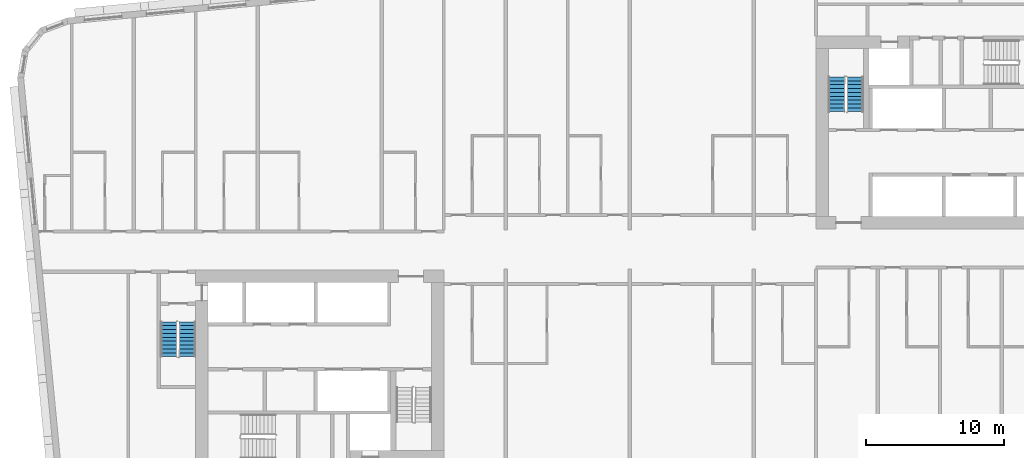
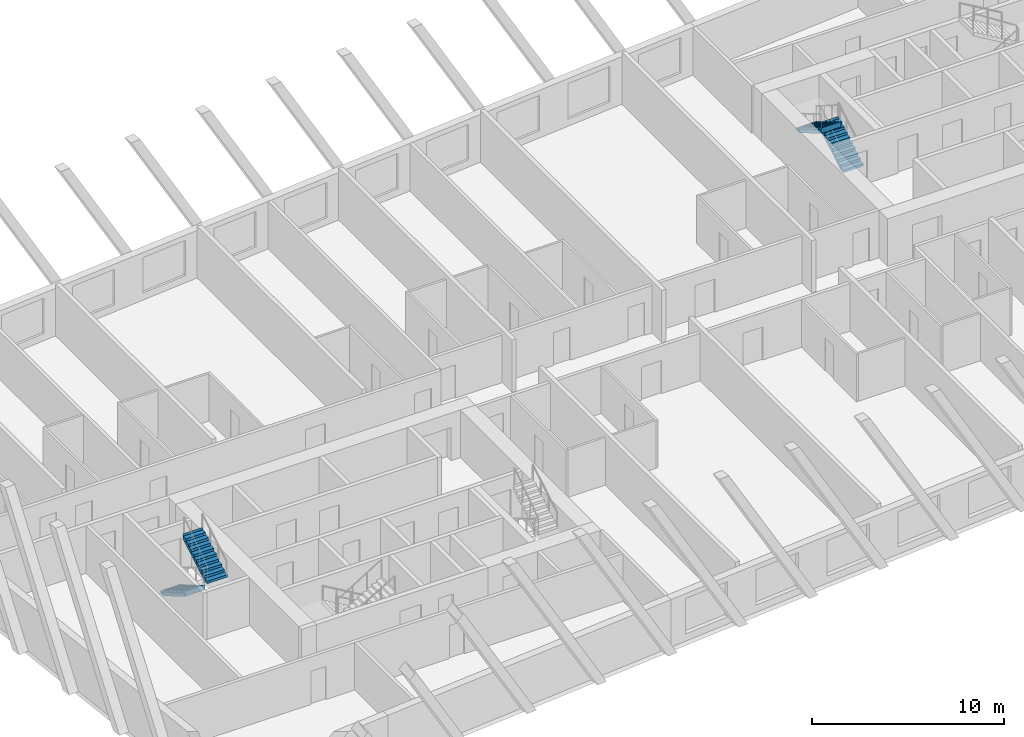
# One storey, part 10 of 13: 4 stair flights, 2 elements without a shape of their own.
"""IFC4 building model written with IfcOpenShell, lengths in metres."""

from ifc_helpers import new_model, si_unit, direction, frame, origin, place, context, subcontext, project, spatial, faceted_brep, material, type_object, element, aggregate, save


model = new_model("IFC4")

# Units and contexts
model_context = context("Model", 3, precision=1e-05, world=origin(), true_north=direction((0.0, 1.0)))
body_context = subcontext(model_context, "Body", "Model", "MODEL_VIEW")
ifc_project = project(units=[si_unit("LENGTHUNIT", "METRE"), si_unit("AREAUNIT", "SQUARE_METRE"), si_unit("VOLUMEUNIT", "CUBIC_METRE"), si_unit("PLANEANGLEUNIT", "RADIAN"), si_unit("MASSUNIT", "GRAM", prefix="KILO")], contexts=[model_context])

# Site, building, storey
site_placement = place(None, origin())
site = spatial("IfcSite", under=ifc_project, at=site_placement, CompositionType="ELEMENT")
building_placement = place(site_placement, origin())
building = spatial("IfcBuilding", under=site, at=building_placement, Name="Kajstack Hotel Tower", CompositionType="ELEMENT")
storey_placement = place(building_placement, frame((0.0, 0.0, 166.89990234375)))
storey = spatial("IfcBuildingStorey", under=building, at=storey_placement, Name="L38", CompositionType="ELEMENT", Elevation=166.89990234375)

# Stair, stair flights
ifc_material = material(Name="Concrete C40/50", Category="concrete")
stair_type = type_object("IfcStairType", Name="Exit stair 1200", PredefinedType="HALF_TURN_STAIR", material=ifc_material)
stair_1_placement = place(storey_placement, origin())
stair_1 = element("IfcStair", 1, at=stair_1_placement, inside=storey, type_object=stair_type, Name="L38 stair W1", PredefinedType="HALF_TURN_STAIR")
stair_flight_type = type_object("IfcStairFlightType", Name="Exit stair flight 1200", PredefinedType="STRAIGHT", material=ifc_material)
stair_flight_1_placement = place(storey_placement, frame((-33.449951171875, -5.25, 0.0), z_axis=(0.0, 0.0, 1.0), x_axis=(0.0, -1.0, 0.0)))
stair_flight_1 = element("IfcStairFlight", 2, at=stair_flight_1_placement, type_object=stair_flight_type, Name="W1 flight 1", NumberOfRisers=10, NumberOfTreads=9, PredefinedType="STRAIGHT", RiserHeight=0.165, TreadLength=0.28, context=body_context, shape_type="Brep", body=[
    faceted_brep([(0.295654296875, -0.60009765625, 0.0), (2.5205078125, -0.60009765625, 1.31103515625), (2.5205078125, -0.60009765625, 1.64990234375), (2.52001953125, -0.60009765625, 1.64990234375), (2.52001953125, -0.60009765625, 1.485107421875), (2.239990234375, -0.60009765625, 1.485107421875), (2.239990234375, -0.60009765625, 1.320068359375), (1.9599609375, -0.60009765625, 1.320068359375), (1.9599609375, -0.60009765625, 1.155029296875), (1.679931640625, -0.60009765625, 1.155029296875), (1.679931640625, -0.60009765625, 0.989990234375), (1.39990234375, -0.60009765625, 0.989990234375), (1.39990234375, -0.60009765625, 0.824951171875), (1.1201171875, -0.60009765625, 0.824951171875), (1.1201171875, -0.60009765625, 0.659912109375), (0.840087890625, -0.60009765625, 0.659912109375), (0.840087890625, -0.60009765625, 0.4951171875), (0.56005859375, -0.60009765625, 0.4951171875), (0.56005859375, -0.60009765625, 0.330078125), (0.280029296875, -0.60009765625, 0.330078125), (0.280029296875, -0.60009765625, 0.1650390625), (-0.00048828125, -0.60009765625, 0.1650390625), (-0.00048828125, -0.60009765625, 0.0), (-0.00048828125, 0.60009765625, 0.0), (-0.00048828125, 0.60009765625, 0.1650390625), (0.280029296875, 0.60009765625, 0.1650390625), (0.280029296875, 0.60009765625, 0.330078125), (0.56005859375, 0.60009765625, 0.330078125), (0.56005859375, 0.60009765625, 0.4951171875), (0.840087890625, 0.60009765625, 0.4951171875), (0.840087890625, 0.60009765625, 0.659912109375), (1.1201171875, 0.60009765625, 0.659912109375), (1.1201171875, 0.60009765625, 0.824951171875), (1.39990234375, 0.60009765625, 0.824951171875), (1.39990234375, 0.60009765625, 0.989990234375), (1.679931640625, 0.60009765625, 0.989990234375), (1.679931640625, 0.60009765625, 1.155029296875), (1.9599609375, 0.60009765625, 1.155029296875), (1.9599609375, 0.60009765625, 1.320068359375), (2.239990234375, 0.60009765625, 1.320068359375), (2.239990234375, 0.60009765625, 1.485107421875), (2.52001953125, 0.60009765625, 1.485107421875), (2.52001953125, 0.60009765625, 1.64990234375), (2.5205078125, 0.60009765625, 1.64990234375), (2.5205078125, 0.60009765625, 1.31103515625), (0.295654296875, 0.60009765625, 0.0), (-0.00048828125, -0.300048828125, 0.1650390625), (-0.00048828125, 0.0, 0.1650390625), (-0.00048828125, 0.300048828125, 0.1650390625), (-0.00048828125, 0.300048828125, 0.0), (-0.00048828125, 0.0, 0.0), (-0.00048828125, -0.300048828125, 0.0), (0.280029296875, -0.300048828125, 0.1650390625), (0.280029296875, 0.0, 0.1650390625), (0.280029296875, 0.300048828125, 0.1650390625), (0.280029296875, -0.300048828125, 0.330078125), (0.280029296875, 0.0, 0.330078125), (0.280029296875, 0.300048828125, 0.330078125), (0.56005859375, -0.300048828125, 0.330078125), (0.56005859375, 0.0, 0.330078125), (0.56005859375, 0.300048828125, 0.330078125), (0.56005859375, -0.300048828125, 0.4951171875), (0.56005859375, 0.0, 0.4951171875), (0.56005859375, 0.300048828125, 0.4951171875), (0.840087890625, -0.300048828125, 0.4951171875), (0.840087890625, 0.0, 0.4951171875), (0.840087890625, 0.300048828125, 0.4951171875), (0.840087890625, -0.300048828125, 0.659912109375), (0.840087890625, 0.0, 0.659912109375), (0.840087890625, 0.300048828125, 0.659912109375), (1.1201171875, -0.300048828125, 0.659912109375), (1.1201171875, 0.0, 0.659912109375), (1.1201171875, 0.300048828125, 0.659912109375), (1.1201171875, -0.300048828125, 0.824951171875), (1.1201171875, 0.0, 0.824951171875), (1.1201171875, 0.300048828125, 0.824951171875), (1.39990234375, -0.300048828125, 0.824951171875), (1.39990234375, 0.0, 0.824951171875), (1.39990234375, 0.300048828125, 0.824951171875), (1.39990234375, -0.300048828125, 0.989990234375), (1.39990234375, 0.0, 0.989990234375), (1.39990234375, 0.300048828125, 0.989990234375), (1.679931640625, -0.300048828125, 0.989990234375), (1.679931640625, 0.0, 0.989990234375), (1.679931640625, 0.300048828125, 0.989990234375), (1.679931640625, -0.300048828125, 1.155029296875), (1.679931640625, 0.0, 1.155029296875), (1.679931640625, 0.300048828125, 1.155029296875), (1.9599609375, -0.300048828125, 1.155029296875), (1.9599609375, 0.0, 1.155029296875), (1.9599609375, 0.300048828125, 1.155029296875), (1.9599609375, -0.300048828125, 1.320068359375), (1.9599609375, 0.0, 1.320068359375), (1.9599609375, 0.300048828125, 1.320068359375), (2.239990234375, -0.300048828125, 1.320068359375), (2.239990234375, 0.0, 1.320068359375), (2.239990234375, 0.300048828125, 1.320068359375), (2.239990234375, -0.300048828125, 1.485107421875), (2.239990234375, 0.0, 1.485107421875), (2.239990234375, 0.300048828125, 1.485107421875), (2.52001953125, -0.300048828125, 1.485107421875), (2.52001953125, 0.0, 1.485107421875), (2.52001953125, 0.300048828125, 1.485107421875), (2.52001953125, -0.300048828125, 1.64990234375), (2.52001953125, 0.0, 1.64990234375), (2.52001953125, 0.300048828125, 1.64990234375), (2.5205078125, -0.300048828125, 1.64990234375), (2.5205078125, 0.0, 1.64990234375), (2.5205078125, 0.300048828125, 1.64990234375), (2.5205078125, -0.300048828125, 1.31103515625), (2.5205078125, 0.0, 1.31103515625), (2.5205078125, 0.300048828125, 1.31103515625), (0.295654296875, -0.300048828125, 0.0), (0.295654296875, 0.0, 0.0), (0.295654296875, 0.300048828125, 0.0)], [[[0, 1, 2, 3, 4, 5, 6, 7, 8, 9, 10, 11, 12, 13, 14, 15, 16, 17, 18, 19, 20, 21, 22]], [[23, 24, 25, 26, 27, 28, 29, 30, 31, 32, 33, 34, 35, 36, 37, 38, 39, 40, 41, 42, 43, 44, 45]], [[21, 46, 47, 48, 24, 23, 49, 50, 51, 22]], [[20, 52, 53, 54, 25, 24, 48, 47, 46, 21]], [[19, 55, 56, 57, 26, 25, 54, 53, 52, 20]], [[18, 58, 59, 60, 27, 26, 57, 56, 55, 19]], [[17, 61, 62, 63, 28, 27, 60, 59, 58, 18]], [[16, 64, 65, 66, 29, 28, 63, 62, 61, 17]], [[15, 67, 68, 69, 30, 29, 66, 65, 64, 16]], [[14, 70, 71, 72, 31, 30, 69, 68, 67, 15]], [[13, 73, 74, 75, 32, 31, 72, 71, 70, 14]], [[12, 76, 77, 78, 33, 32, 75, 74, 73, 13]], [[11, 79, 80, 81, 34, 33, 78, 77, 76, 12]], [[10, 82, 83, 84, 35, 34, 81, 80, 79, 11]], [[9, 85, 86, 87, 36, 35, 84, 83, 82, 10]], [[8, 88, 89, 90, 37, 36, 87, 86, 85, 9]], [[7, 91, 92, 93, 38, 37, 90, 89, 88, 8]], [[6, 94, 95, 96, 39, 38, 93, 92, 91, 7]], [[5, 97, 98, 99, 40, 39, 96, 95, 94, 6]], [[4, 100, 101, 102, 41, 40, 99, 98, 97, 5]], [[3, 103, 104, 105, 42, 41, 102, 101, 100, 4]], [[2, 106, 107, 108, 43, 42, 105, 104, 103, 3]], [[1, 109, 110, 111, 44, 43, 108, 107, 106, 2]], [[0, 112, 113, 114, 45, 44, 111, 110, 109, 1]], [[22, 51, 50, 49, 23, 45, 114, 113, 112, 0]]]),
])
stair_flight_2_placement = place(storey_placement, frame((-32.10009765625, -7.77001953125, 1.650146484375), z_axis=(0.0, 0.0, 1.0), x_axis=(0.0, 1.0, 0.0)))
stair_flight_2 = element("IfcStairFlight", 3, at=stair_flight_2_placement, type_object=stair_flight_type, Name="W1 flight 2", NumberOfRisers=10, NumberOfTreads=9, PredefinedType="STRAIGHT", RiserHeight=0.165, TreadLength=0.28, context=body_context, shape_type="Brep", body=[
    faceted_brep([(0.295654296875, -0.60009765625, 0.0), (2.5205078125, -0.60009765625, 1.31103515625), (2.5205078125, -0.60009765625, 1.64990234375), (2.52001953125, -0.60009765625, 1.64990234375), (2.52001953125, -0.60009765625, 1.485107421875), (2.239990234375, -0.60009765625, 1.485107421875), (2.239990234375, -0.60009765625, 1.320068359375), (1.9599609375, -0.60009765625, 1.320068359375), (1.9599609375, -0.60009765625, 1.155029296875), (1.679931640625, -0.60009765625, 1.155029296875), (1.679931640625, -0.60009765625, 0.989990234375), (1.39990234375, -0.60009765625, 0.989990234375), (1.39990234375, -0.60009765625, 0.824951171875), (1.1201171875, -0.60009765625, 0.824951171875), (1.1201171875, -0.60009765625, 0.659912109375), (0.840087890625, -0.60009765625, 0.659912109375), (0.840087890625, -0.60009765625, 0.4951171875), (0.56005859375, -0.60009765625, 0.4951171875), (0.56005859375, -0.60009765625, 0.330078125), (0.280029296875, -0.60009765625, 0.330078125), (0.280029296875, -0.60009765625, 0.1650390625), (-0.00048828125, -0.60009765625, 0.1650390625), (-0.00048828125, -0.60009765625, 0.0), (-0.00048828125, 0.60009765625, 0.0), (-0.00048828125, 0.60009765625, 0.1650390625), (0.280029296875, 0.60009765625, 0.1650390625), (0.280029296875, 0.60009765625, 0.330078125), (0.56005859375, 0.60009765625, 0.330078125), (0.56005859375, 0.60009765625, 0.4951171875), (0.840087890625, 0.60009765625, 0.4951171875), (0.840087890625, 0.60009765625, 0.659912109375), (1.1201171875, 0.60009765625, 0.659912109375), (1.1201171875, 0.60009765625, 0.824951171875), (1.39990234375, 0.60009765625, 0.824951171875), (1.39990234375, 0.60009765625, 0.989990234375), (1.679931640625, 0.60009765625, 0.989990234375), (1.679931640625, 0.60009765625, 1.155029296875), (1.9599609375, 0.60009765625, 1.155029296875), (1.9599609375, 0.60009765625, 1.320068359375), (2.239990234375, 0.60009765625, 1.320068359375), (2.239990234375, 0.60009765625, 1.485107421875), (2.52001953125, 0.60009765625, 1.485107421875), (2.52001953125, 0.60009765625, 1.64990234375), (2.5205078125, 0.60009765625, 1.64990234375), (2.5205078125, 0.60009765625, 1.31103515625), (0.295654296875, 0.60009765625, 0.0), (-0.00048828125, -0.300048828125, 0.1650390625), (-0.00048828125, 0.0, 0.1650390625), (-0.00048828125, 0.300048828125, 0.1650390625), (-0.00048828125, 0.300048828125, 0.0), (-0.00048828125, 0.0, 0.0), (-0.00048828125, -0.300048828125, 0.0), (0.280029296875, -0.300048828125, 0.1650390625), (0.280029296875, 0.0, 0.1650390625), (0.280029296875, 0.300048828125, 0.1650390625), (0.280029296875, -0.300048828125, 0.330078125), (0.280029296875, 0.0, 0.330078125), (0.280029296875, 0.300048828125, 0.330078125), (0.56005859375, -0.300048828125, 0.330078125), (0.56005859375, 0.0, 0.330078125), (0.56005859375, 0.300048828125, 0.330078125), (0.56005859375, -0.300048828125, 0.4951171875), (0.56005859375, 0.0, 0.4951171875), (0.56005859375, 0.300048828125, 0.4951171875), (0.840087890625, -0.300048828125, 0.4951171875), (0.840087890625, 0.0, 0.4951171875), (0.840087890625, 0.300048828125, 0.4951171875), (0.840087890625, -0.300048828125, 0.659912109375), (0.840087890625, 0.0, 0.659912109375), (0.840087890625, 0.300048828125, 0.659912109375), (1.1201171875, -0.300048828125, 0.659912109375), (1.1201171875, 0.0, 0.659912109375), (1.1201171875, 0.300048828125, 0.659912109375), (1.1201171875, -0.300048828125, 0.824951171875), (1.1201171875, 0.0, 0.824951171875), (1.1201171875, 0.300048828125, 0.824951171875), (1.39990234375, -0.300048828125, 0.824951171875), (1.39990234375, 0.0, 0.824951171875), (1.39990234375, 0.300048828125, 0.824951171875), (1.39990234375, -0.300048828125, 0.989990234375), (1.39990234375, 0.0, 0.989990234375), (1.39990234375, 0.300048828125, 0.989990234375), (1.679931640625, -0.300048828125, 0.989990234375), (1.679931640625, 0.0, 0.989990234375), (1.679931640625, 0.300048828125, 0.989990234375), (1.679931640625, -0.300048828125, 1.155029296875), (1.679931640625, 0.0, 1.155029296875), (1.679931640625, 0.300048828125, 1.155029296875), (1.9599609375, -0.300048828125, 1.155029296875), (1.9599609375, 0.0, 1.155029296875), (1.9599609375, 0.300048828125, 1.155029296875), (1.9599609375, -0.300048828125, 1.320068359375), (1.9599609375, 0.0, 1.320068359375), (1.9599609375, 0.300048828125, 1.320068359375), (2.239990234375, -0.300048828125, 1.320068359375), (2.239990234375, 0.0, 1.320068359375), (2.239990234375, 0.300048828125, 1.320068359375), (2.239990234375, -0.300048828125, 1.485107421875), (2.239990234375, 0.0, 1.485107421875), (2.239990234375, 0.300048828125, 1.485107421875), (2.52001953125, -0.300048828125, 1.485107421875), (2.52001953125, 0.0, 1.485107421875), (2.52001953125, 0.300048828125, 1.485107421875), (2.52001953125, -0.300048828125, 1.64990234375), (2.52001953125, 0.0, 1.64990234375), (2.52001953125, 0.300048828125, 1.64990234375), (2.5205078125, -0.300048828125, 1.64990234375), (2.5205078125, 0.0, 1.64990234375), (2.5205078125, 0.300048828125, 1.64990234375), (2.5205078125, -0.300048828125, 1.31103515625), (2.5205078125, 0.0, 1.31103515625), (2.5205078125, 0.300048828125, 1.31103515625), (0.295654296875, -0.300048828125, 0.0), (0.295654296875, 0.0, 0.0), (0.295654296875, 0.300048828125, 0.0)], [[[0, 1, 2, 3, 4, 5, 6, 7, 8, 9, 10, 11, 12, 13, 14, 15, 16, 17, 18, 19, 20, 21, 22]], [[23, 24, 25, 26, 27, 28, 29, 30, 31, 32, 33, 34, 35, 36, 37, 38, 39, 40, 41, 42, 43, 44, 45]], [[21, 46, 47, 48, 24, 23, 49, 50, 51, 22]], [[20, 52, 53, 54, 25, 24, 48, 47, 46, 21]], [[19, 55, 56, 57, 26, 25, 54, 53, 52, 20]], [[18, 58, 59, 60, 27, 26, 57, 56, 55, 19]], [[17, 61, 62, 63, 28, 27, 60, 59, 58, 18]], [[16, 64, 65, 66, 29, 28, 63, 62, 61, 17]], [[15, 67, 68, 69, 30, 29, 66, 65, 64, 16]], [[14, 70, 71, 72, 31, 30, 69, 68, 67, 15]], [[13, 73, 74, 75, 32, 31, 72, 71, 70, 14]], [[12, 76, 77, 78, 33, 32, 75, 74, 73, 13]], [[11, 79, 80, 81, 34, 33, 78, 77, 76, 12]], [[10, 82, 83, 84, 35, 34, 81, 80, 79, 11]], [[9, 85, 86, 87, 36, 35, 84, 83, 82, 10]], [[8, 88, 89, 90, 37, 36, 87, 86, 85, 9]], [[7, 91, 92, 93, 38, 37, 90, 89, 88, 8]], [[6, 94, 95, 96, 39, 38, 93, 92, 91, 7]], [[5, 97, 98, 99, 40, 39, 96, 95, 94, 6]], [[4, 100, 101, 102, 41, 40, 99, 98, 97, 5]], [[3, 103, 104, 105, 42, 41, 102, 101, 100, 4]], [[2, 106, 107, 108, 43, 42, 105, 104, 103, 3]], [[1, 109, 110, 111, 44, 43, 108, 107, 106, 2]], [[0, 112, 113, 114, 45, 44, 111, 110, 109, 1]], [[22, 51, 50, 49, 23, 45, 114, 113, 112, 0]]]),
])
aggregate(stair_1, [stair_flight_1, stair_flight_2])

stair_2_placement = place(storey_placement, origin())
stair_2 = element("IfcStair", 4, at=stair_2_placement, inside=storey, type_object=stair_type, Name="L38 stair E2", PredefinedType="HALF_TURN_STAIR")
stair_flight_3_placement = place(storey_placement, frame((16.35009765625, 10.0, 0.0), z_axis=(0.0, 0.0, 1.0), x_axis=(0.0, 1.0, 0.0)))
stair_flight_3 = element("IfcStairFlight", 5, at=stair_flight_3_placement, type_object=stair_flight_type, Name="E2 flight 1", NumberOfRisers=10, NumberOfTreads=9, PredefinedType="STRAIGHT", RiserHeight=0.165, TreadLength=0.28, context=body_context, shape_type="Brep", body=[
    faceted_brep([(0.295654296875, -0.60009765625, 0.0), (2.5205078125, -0.60009765625, 1.31103515625), (2.5205078125, -0.60009765625, 1.64990234375), (2.52001953125, -0.60009765625, 1.64990234375), (2.52001953125, -0.60009765625, 1.485107421875), (2.239990234375, -0.60009765625, 1.485107421875), (2.239990234375, -0.60009765625, 1.320068359375), (1.9599609375, -0.60009765625, 1.320068359375), (1.9599609375, -0.60009765625, 1.155029296875), (1.679931640625, -0.60009765625, 1.155029296875), (1.679931640625, -0.60009765625, 0.989990234375), (1.39990234375, -0.60009765625, 0.989990234375), (1.39990234375, -0.60009765625, 0.824951171875), (1.1201171875, -0.60009765625, 0.824951171875), (1.1201171875, -0.60009765625, 0.659912109375), (0.840087890625, -0.60009765625, 0.659912109375), (0.840087890625, -0.60009765625, 0.4951171875), (0.56005859375, -0.60009765625, 0.4951171875), (0.56005859375, -0.60009765625, 0.330078125), (0.280029296875, -0.60009765625, 0.330078125), (0.280029296875, -0.60009765625, 0.1650390625), (-0.00048828125, -0.60009765625, 0.1650390625), (-0.00048828125, -0.60009765625, 0.0), (-0.00048828125, 0.60009765625, 0.0), (-0.00048828125, 0.60009765625, 0.1650390625), (0.280029296875, 0.60009765625, 0.1650390625), (0.280029296875, 0.60009765625, 0.330078125), (0.56005859375, 0.60009765625, 0.330078125), (0.56005859375, 0.60009765625, 0.4951171875), (0.840087890625, 0.60009765625, 0.4951171875), (0.840087890625, 0.60009765625, 0.659912109375), (1.1201171875, 0.60009765625, 0.659912109375), (1.1201171875, 0.60009765625, 0.824951171875), (1.39990234375, 0.60009765625, 0.824951171875), (1.39990234375, 0.60009765625, 0.989990234375), (1.679931640625, 0.60009765625, 0.989990234375), (1.679931640625, 0.60009765625, 1.155029296875), (1.9599609375, 0.60009765625, 1.155029296875), (1.9599609375, 0.60009765625, 1.320068359375), (2.239990234375, 0.60009765625, 1.320068359375), (2.239990234375, 0.60009765625, 1.485107421875), (2.52001953125, 0.60009765625, 1.485107421875), (2.52001953125, 0.60009765625, 1.64990234375), (2.5205078125, 0.60009765625, 1.64990234375), (2.5205078125, 0.60009765625, 1.31103515625), (0.295654296875, 0.60009765625, 0.0), (-0.00048828125, -0.300048828125, 0.1650390625), (-0.00048828125, 0.0, 0.1650390625), (-0.00048828125, 0.300048828125, 0.1650390625), (-0.00048828125, 0.300048828125, 0.0), (-0.00048828125, 0.0, 0.0), (-0.00048828125, -0.300048828125, 0.0), (0.280029296875, -0.300048828125, 0.1650390625), (0.280029296875, 0.0, 0.1650390625), (0.280029296875, 0.300048828125, 0.1650390625), (0.280029296875, -0.300048828125, 0.330078125), (0.280029296875, 0.0, 0.330078125), (0.280029296875, 0.300048828125, 0.330078125), (0.56005859375, -0.300048828125, 0.330078125), (0.56005859375, 0.0, 0.330078125), (0.56005859375, 0.300048828125, 0.330078125), (0.56005859375, -0.300048828125, 0.4951171875), (0.56005859375, 0.0, 0.4951171875), (0.56005859375, 0.300048828125, 0.4951171875), (0.840087890625, -0.300048828125, 0.4951171875), (0.840087890625, 0.0, 0.4951171875), (0.840087890625, 0.300048828125, 0.4951171875), (0.840087890625, -0.300048828125, 0.659912109375), (0.840087890625, 0.0, 0.659912109375), (0.840087890625, 0.300048828125, 0.659912109375), (1.1201171875, -0.300048828125, 0.659912109375), (1.1201171875, 0.0, 0.659912109375), (1.1201171875, 0.300048828125, 0.659912109375), (1.1201171875, -0.300048828125, 0.824951171875), (1.1201171875, 0.0, 0.824951171875), (1.1201171875, 0.300048828125, 0.824951171875), (1.39990234375, -0.300048828125, 0.824951171875), (1.39990234375, 0.0, 0.824951171875), (1.39990234375, 0.300048828125, 0.824951171875), (1.39990234375, -0.300048828125, 0.989990234375), (1.39990234375, 0.0, 0.989990234375), (1.39990234375, 0.300048828125, 0.989990234375), (1.679931640625, -0.300048828125, 0.989990234375), (1.679931640625, 0.0, 0.989990234375), (1.679931640625, 0.300048828125, 0.989990234375), (1.679931640625, -0.300048828125, 1.155029296875), (1.679931640625, 0.0, 1.155029296875), (1.679931640625, 0.300048828125, 1.155029296875), (1.9599609375, -0.300048828125, 1.155029296875), (1.9599609375, 0.0, 1.155029296875), (1.9599609375, 0.300048828125, 1.155029296875), (1.9599609375, -0.300048828125, 1.320068359375), (1.9599609375, 0.0, 1.320068359375), (1.9599609375, 0.300048828125, 1.320068359375), (2.239990234375, -0.300048828125, 1.320068359375), (2.239990234375, 0.0, 1.320068359375), (2.239990234375, 0.300048828125, 1.320068359375), (2.239990234375, -0.300048828125, 1.485107421875), (2.239990234375, 0.0, 1.485107421875), (2.239990234375, 0.300048828125, 1.485107421875), (2.52001953125, -0.300048828125, 1.485107421875), (2.52001953125, 0.0, 1.485107421875), (2.52001953125, 0.300048828125, 1.485107421875), (2.52001953125, -0.300048828125, 1.64990234375), (2.52001953125, 0.0, 1.64990234375), (2.52001953125, 0.300048828125, 1.64990234375), (2.5205078125, -0.300048828125, 1.64990234375), (2.5205078125, 0.0, 1.64990234375), (2.5205078125, 0.300048828125, 1.64990234375), (2.5205078125, -0.300048828125, 1.31103515625), (2.5205078125, 0.0, 1.31103515625), (2.5205078125, 0.300048828125, 1.31103515625), (0.295654296875, -0.300048828125, 0.0), (0.295654296875, 0.0, 0.0), (0.295654296875, 0.300048828125, 0.0)], [[[0, 1, 2, 3, 4, 5, 6, 7, 8, 9, 10, 11, 12, 13, 14, 15, 16, 17, 18, 19, 20, 21, 22]], [[23, 24, 25, 26, 27, 28, 29, 30, 31, 32, 33, 34, 35, 36, 37, 38, 39, 40, 41, 42, 43, 44, 45]], [[21, 46, 47, 48, 24, 23, 49, 50, 51, 22]], [[20, 52, 53, 54, 25, 24, 48, 47, 46, 21]], [[19, 55, 56, 57, 26, 25, 54, 53, 52, 20]], [[18, 58, 59, 60, 27, 26, 57, 56, 55, 19]], [[17, 61, 62, 63, 28, 27, 60, 59, 58, 18]], [[16, 64, 65, 66, 29, 28, 63, 62, 61, 17]], [[15, 67, 68, 69, 30, 29, 66, 65, 64, 16]], [[14, 70, 71, 72, 31, 30, 69, 68, 67, 15]], [[13, 73, 74, 75, 32, 31, 72, 71, 70, 14]], [[12, 76, 77, 78, 33, 32, 75, 74, 73, 13]], [[11, 79, 80, 81, 34, 33, 78, 77, 76, 12]], [[10, 82, 83, 84, 35, 34, 81, 80, 79, 11]], [[9, 85, 86, 87, 36, 35, 84, 83, 82, 10]], [[8, 88, 89, 90, 37, 36, 87, 86, 85, 9]], [[7, 91, 92, 93, 38, 37, 90, 89, 88, 8]], [[6, 94, 95, 96, 39, 38, 93, 92, 91, 7]], [[5, 97, 98, 99, 40, 39, 96, 95, 94, 6]], [[4, 100, 101, 102, 41, 40, 99, 98, 97, 5]], [[3, 103, 104, 105, 42, 41, 102, 101, 100, 4]], [[2, 106, 107, 108, 43, 42, 105, 104, 103, 3]], [[1, 109, 110, 111, 44, 43, 108, 107, 106, 2]], [[0, 112, 113, 114, 45, 44, 111, 110, 109, 1]], [[22, 51, 50, 49, 23, 45, 114, 113, 112, 0]]]),
])
stair_flight_4_placement = place(storey_placement, frame((15.0, 12.52001953125, 1.650146484375), z_axis=(0.0, 0.0, 1.0), x_axis=(0.0, -1.0, 0.0)))
stair_flight_4 = element("IfcStairFlight", 6, at=stair_flight_4_placement, type_object=stair_flight_type, Name="E2 flight 2", NumberOfRisers=10, NumberOfTreads=9, PredefinedType="STRAIGHT", RiserHeight=0.165, TreadLength=0.28, context=body_context, shape_type="Brep", body=[
    faceted_brep([(0.295654296875, -0.60009765625, 0.0), (2.5205078125, -0.60009765625, 1.31103515625), (2.5205078125, -0.60009765625, 1.64990234375), (2.52001953125, -0.60009765625, 1.64990234375), (2.52001953125, -0.60009765625, 1.485107421875), (2.239990234375, -0.60009765625, 1.485107421875), (2.239990234375, -0.60009765625, 1.320068359375), (1.9599609375, -0.60009765625, 1.320068359375), (1.9599609375, -0.60009765625, 1.155029296875), (1.679931640625, -0.60009765625, 1.155029296875), (1.679931640625, -0.60009765625, 0.989990234375), (1.39990234375, -0.60009765625, 0.989990234375), (1.39990234375, -0.60009765625, 0.824951171875), (1.1201171875, -0.60009765625, 0.824951171875), (1.1201171875, -0.60009765625, 0.659912109375), (0.840087890625, -0.60009765625, 0.659912109375), (0.840087890625, -0.60009765625, 0.4951171875), (0.56005859375, -0.60009765625, 0.4951171875), (0.56005859375, -0.60009765625, 0.330078125), (0.280029296875, -0.60009765625, 0.330078125), (0.280029296875, -0.60009765625, 0.1650390625), (-0.00048828125, -0.60009765625, 0.1650390625), (-0.00048828125, -0.60009765625, 0.0), (-0.00048828125, 0.60009765625, 0.0), (-0.00048828125, 0.60009765625, 0.1650390625), (0.280029296875, 0.60009765625, 0.1650390625), (0.280029296875, 0.60009765625, 0.330078125), (0.56005859375, 0.60009765625, 0.330078125), (0.56005859375, 0.60009765625, 0.4951171875), (0.840087890625, 0.60009765625, 0.4951171875), (0.840087890625, 0.60009765625, 0.659912109375), (1.1201171875, 0.60009765625, 0.659912109375), (1.1201171875, 0.60009765625, 0.824951171875), (1.39990234375, 0.60009765625, 0.824951171875), (1.39990234375, 0.60009765625, 0.989990234375), (1.679931640625, 0.60009765625, 0.989990234375), (1.679931640625, 0.60009765625, 1.155029296875), (1.9599609375, 0.60009765625, 1.155029296875), (1.9599609375, 0.60009765625, 1.320068359375), (2.239990234375, 0.60009765625, 1.320068359375), (2.239990234375, 0.60009765625, 1.485107421875), (2.52001953125, 0.60009765625, 1.485107421875), (2.52001953125, 0.60009765625, 1.64990234375), (2.5205078125, 0.60009765625, 1.64990234375), (2.5205078125, 0.60009765625, 1.31103515625), (0.295654296875, 0.60009765625, 0.0), (-0.00048828125, -0.300048828125, 0.1650390625), (-0.00048828125, 0.0, 0.1650390625), (-0.00048828125, 0.300048828125, 0.1650390625), (-0.00048828125, 0.300048828125, 0.0), (-0.00048828125, 0.0, 0.0), (-0.00048828125, -0.300048828125, 0.0), (0.280029296875, -0.300048828125, 0.1650390625), (0.280029296875, 0.0, 0.1650390625), (0.280029296875, 0.300048828125, 0.1650390625), (0.280029296875, -0.300048828125, 0.330078125), (0.280029296875, 0.0, 0.330078125), (0.280029296875, 0.300048828125, 0.330078125), (0.56005859375, -0.300048828125, 0.330078125), (0.56005859375, 0.0, 0.330078125), (0.56005859375, 0.300048828125, 0.330078125), (0.56005859375, -0.300048828125, 0.4951171875), (0.56005859375, 0.0, 0.4951171875), (0.56005859375, 0.300048828125, 0.4951171875), (0.840087890625, -0.300048828125, 0.4951171875), (0.840087890625, 0.0, 0.4951171875), (0.840087890625, 0.300048828125, 0.4951171875), (0.840087890625, -0.300048828125, 0.659912109375), (0.840087890625, 0.0, 0.659912109375), (0.840087890625, 0.300048828125, 0.659912109375), (1.1201171875, -0.300048828125, 0.659912109375), (1.1201171875, 0.0, 0.659912109375), (1.1201171875, 0.300048828125, 0.659912109375), (1.1201171875, -0.300048828125, 0.824951171875), (1.1201171875, 0.0, 0.824951171875), (1.1201171875, 0.300048828125, 0.824951171875), (1.39990234375, -0.300048828125, 0.824951171875), (1.39990234375, 0.0, 0.824951171875), (1.39990234375, 0.300048828125, 0.824951171875), (1.39990234375, -0.300048828125, 0.989990234375), (1.39990234375, 0.0, 0.989990234375), (1.39990234375, 0.300048828125, 0.989990234375), (1.679931640625, -0.300048828125, 0.989990234375), (1.679931640625, 0.0, 0.989990234375), (1.679931640625, 0.300048828125, 0.989990234375), (1.679931640625, -0.300048828125, 1.155029296875), (1.679931640625, 0.0, 1.155029296875), (1.679931640625, 0.300048828125, 1.155029296875), (1.9599609375, -0.300048828125, 1.155029296875), (1.9599609375, 0.0, 1.155029296875), (1.9599609375, 0.300048828125, 1.155029296875), (1.9599609375, -0.300048828125, 1.320068359375), (1.9599609375, 0.0, 1.320068359375), (1.9599609375, 0.300048828125, 1.320068359375), (2.239990234375, -0.300048828125, 1.320068359375), (2.239990234375, 0.0, 1.320068359375), (2.239990234375, 0.300048828125, 1.320068359375), (2.239990234375, -0.300048828125, 1.485107421875), (2.239990234375, 0.0, 1.485107421875), (2.239990234375, 0.300048828125, 1.485107421875), (2.52001953125, -0.300048828125, 1.485107421875), (2.52001953125, 0.0, 1.485107421875), (2.52001953125, 0.300048828125, 1.485107421875), (2.52001953125, -0.300048828125, 1.64990234375), (2.52001953125, 0.0, 1.64990234375), (2.52001953125, 0.300048828125, 1.64990234375), (2.5205078125, -0.300048828125, 1.64990234375), (2.5205078125, 0.0, 1.64990234375), (2.5205078125, 0.300048828125, 1.64990234375), (2.5205078125, -0.300048828125, 1.31103515625), (2.5205078125, 0.0, 1.31103515625), (2.5205078125, 0.300048828125, 1.31103515625), (0.295654296875, -0.300048828125, 0.0), (0.295654296875, 0.0, 0.0), (0.295654296875, 0.300048828125, 0.0)], [[[0, 1, 2, 3, 4, 5, 6, 7, 8, 9, 10, 11, 12, 13, 14, 15, 16, 17, 18, 19, 20, 21, 22]], [[23, 24, 25, 26, 27, 28, 29, 30, 31, 32, 33, 34, 35, 36, 37, 38, 39, 40, 41, 42, 43, 44, 45]], [[21, 46, 47, 48, 24, 23, 49, 50, 51, 22]], [[20, 52, 53, 54, 25, 24, 48, 47, 46, 21]], [[19, 55, 56, 57, 26, 25, 54, 53, 52, 20]], [[18, 58, 59, 60, 27, 26, 57, 56, 55, 19]], [[17, 61, 62, 63, 28, 27, 60, 59, 58, 18]], [[16, 64, 65, 66, 29, 28, 63, 62, 61, 17]], [[15, 67, 68, 69, 30, 29, 66, 65, 64, 16]], [[14, 70, 71, 72, 31, 30, 69, 68, 67, 15]], [[13, 73, 74, 75, 32, 31, 72, 71, 70, 14]], [[12, 76, 77, 78, 33, 32, 75, 74, 73, 13]], [[11, 79, 80, 81, 34, 33, 78, 77, 76, 12]], [[10, 82, 83, 84, 35, 34, 81, 80, 79, 11]], [[9, 85, 86, 87, 36, 35, 84, 83, 82, 10]], [[8, 88, 89, 90, 37, 36, 87, 86, 85, 9]], [[7, 91, 92, 93, 38, 37, 90, 89, 88, 8]], [[6, 94, 95, 96, 39, 38, 93, 92, 91, 7]], [[5, 97, 98, 99, 40, 39, 96, 95, 94, 6]], [[4, 100, 101, 102, 41, 40, 99, 98, 97, 5]], [[3, 103, 104, 105, 42, 41, 102, 101, 100, 4]], [[2, 106, 107, 108, 43, 42, 105, 104, 103, 3]], [[1, 109, 110, 111, 44, 43, 108, 107, 106, 2]], [[0, 112, 113, 114, 45, 44, 111, 110, 109, 1]], [[22, 51, 50, 49, 23, 45, 114, 113, 112, 0]]]),
])
aggregate(stair_2, [stair_flight_3, stair_flight_4])

save(model, "model.ifc")
